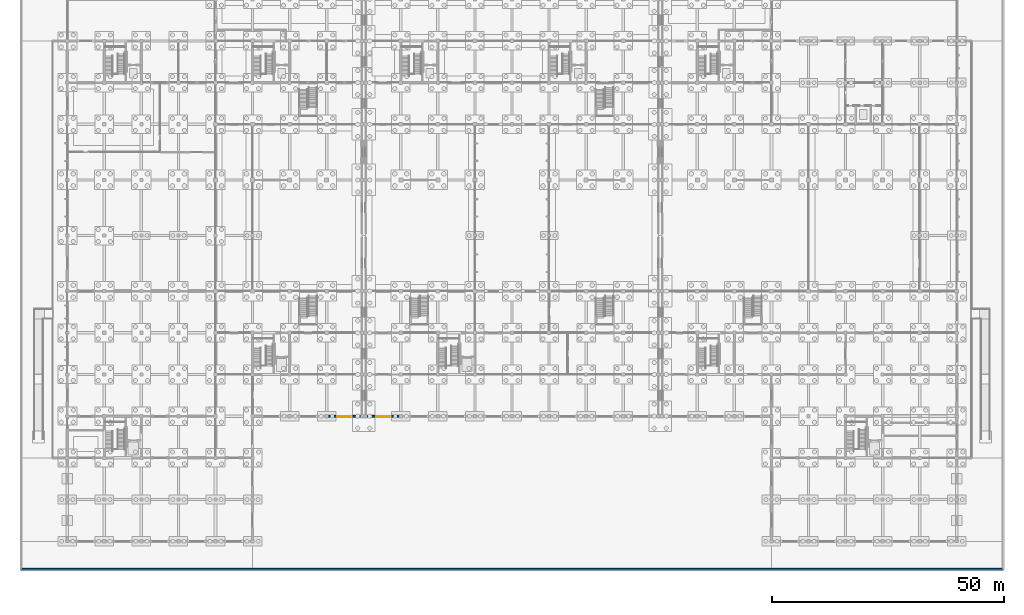
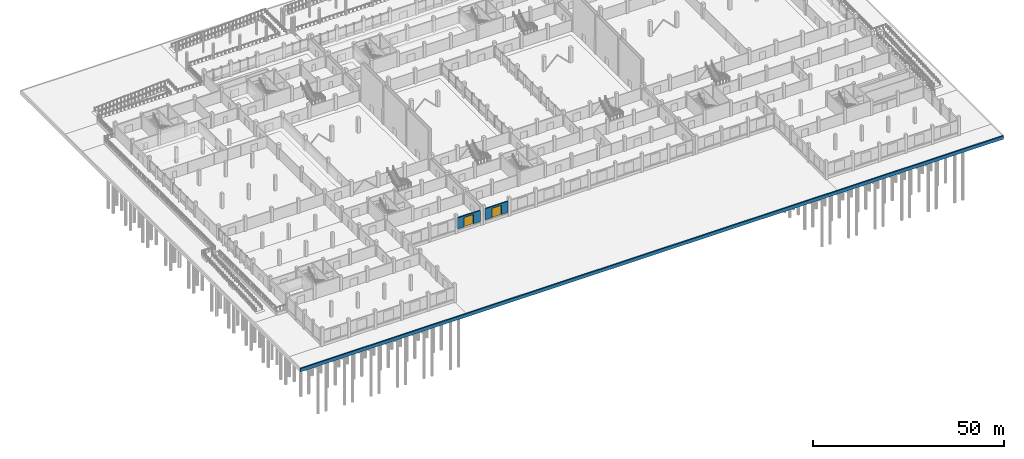
# One storey, part 43 of 72: 3 walls, 2 doors, 2 openings.
"""IFC4 building model written with IfcOpenShell, lengths in metres."""

from ifc_helpers import new_model, si_unit, direction, frame, frame_2d, origin, place, context, subcontext, project, spatial, rectangle, extrude, material, layer, layer_set, type_object, element, fill, save


model = new_model("IFC4")

# Units and contexts
model_context = context("Model", 3, precision=1e-05, world=origin(), true_north=direction((0.0, 1.0)))
body_context = subcontext(model_context, "Body", "Model", "MODEL_VIEW")
ifc_project = project(units=[si_unit("LENGTHUNIT", "METRE"), si_unit("AREAUNIT", "SQUARE_METRE"), si_unit("VOLUMEUNIT", "CUBIC_METRE"), si_unit("PLANEANGLEUNIT", "RADIAN"), si_unit("MASSUNIT", "GRAM", prefix="KILO"), si_unit("THERMODYNAMICTEMPERATUREUNIT", "KELVIN"), si_unit("POWERUNIT", "WATT")], contexts=[model_context])

# Site, building, storey
site_placement = place(None, origin())
site = spatial("IfcSite", under=ifc_project, at=site_placement, CompositionType="ELEMENT")
building_placement = place(site_placement, origin())
building = spatial("IfcBuilding", under=site, at=building_placement, Name="Kronsvod Quay Wholesale Market", CompositionType="ELEMENT")
storey_placement = place(building_placement, origin())
storey = spatial("IfcBuildingStorey", under=building, at=storey_placement, Name="L00", CompositionType="ELEMENT", Elevation=0.0)

# Wall, opening, door
ifc_material_1 = material(Name="Precast concrete C40/50", Category="concrete")
ifc_layer_1 = layer(ifc_material_1, 0.360107421875)
ifc_layer_set_1 = layer_set([ifc_layer_1], Name="Precast concrete C40/50")
wall_type_1 = type_object("IfcWallType", Name="Wall_ExtColdSandwich360", PredefinedType="SOLIDWALL", material=ifc_layer_set_1)
wall_1_placement = place(storey_placement, frame((56.344970703125, 27.0, 0.0), z_axis=(0.0, 0.0, 1.0), x_axis=(1.0, 0.0, 0.0)))
wall_1 = element("IfcWall", 1, at=wall_1_placement, inside=storey, type_object=wall_type_1, Name="EW-X-L00-0008", PredefinedType="SOLIDWALL", context=body_context, shape_type="SweptSolid", body=[
    extrude(rectangle(XDim=6.909912109375, YDim=0.360107421875, at=frame_2d((3.455078125, 0.0))), origin(), (0.0, 0.0, 1.0), 3.550048828125),
])
opening_1_placement = place(wall_1_placement, frame((2.054931640625, 0.0, 0.0)))
opening_1 = element("IfcOpeningElement", 2, at=opening_1_placement, cuts=wall_1, Name="Opening ED-008", PredefinedType="OPENING", context=body_context, shape_type="SweptSolid", body=[
    extrude(rectangle(XDim=2.800048828125, YDim=3.0, at=frame_2d((1.39990234375, 1.5))), frame((0.0, 0.18994140625, 0.0), z_axis=(0.0, -1.0, 0.0), x_axis=(1.0, 0.0, 0.0)), (0.0, 0.0, 1.0), 0.380126953125),
])
ifc_material_2 = material(Name="Insulated galvanized steel sectional shutter", Category="steel")
door_type = type_object("IfcDoorType", Name="Door_DockShutter280x300", OperationType="ROLLINGUP", PredefinedType="GATE", material=ifc_material_2)
door_1_placement = place(opening_1_placement, origin())
door_1 = element("IfcDoor", 3, at=door_1_placement, inside=storey, type_object=door_type, Name="Loading Dock Door ED-008", OperationType="ROLLINGUP", OverallHeight=3.0, OverallWidth=2.800048828125, PredefinedType="GATE", context=body_context, shape_type="SweptSolid", body=[
    extrude(rectangle(XDim=2.800048828125, YDim=3.0, at=frame_2d((1.39990234375, 1.5))), frame((0.0, 0.02490234375, 0.0), z_axis=(0.0, -1.0, 0.0), x_axis=(1.0, 0.0, 0.0)), (0.0, 0.0, 1.0), 0.050048828125),
])
fill(opening_1, door_1)

wall_2_placement = place(storey_placement, frame((64.7451171875, 27.0, 0.0), z_axis=(0.0, 0.0, 1.0), x_axis=(1.0, 0.0, 0.0)))
wall_2 = element("IfcWall", 4, at=wall_2_placement, inside=storey, type_object=wall_type_1, Name="EW-X-L00-0033", PredefinedType="SOLIDWALL", context=body_context, shape_type="SweptSolid", body=[
    extrude(rectangle(XDim=6.909912109375, YDim=0.360107421875, at=frame_2d((3.455078125, 0.0))), origin(), (0.0, 0.0, 1.0), 3.550048828125),
])
opening_2_placement = place(wall_2_placement, frame((2.054931640625, 0.0, 0.0)))
opening_2 = element("IfcOpeningElement", 5, at=opening_2_placement, cuts=wall_2, Name="Opening ED-018", PredefinedType="OPENING", context=body_context, shape_type="SweptSolid", body=[
    extrude(rectangle(XDim=2.800048828125, YDim=3.0, at=frame_2d((1.39990234375, 1.5))), frame((0.0, 0.18994140625, 0.0), z_axis=(0.0, -1.0, 0.0), x_axis=(1.0, 0.0, 0.0)), (0.0, 0.0, 1.0), 0.380126953125),
])
door_2_placement = place(opening_2_placement, origin())
door_2 = element("IfcDoor", 6, at=door_2_placement, inside=storey, type_object=door_type, Name="Loading Dock Door ED-018", OperationType="ROLLINGUP", OverallHeight=3.0, OverallWidth=2.800048828125, PredefinedType="GATE", context=body_context, shape_type="SweptSolid", body=[
    extrude(rectangle(XDim=2.800048828125, YDim=3.0, at=frame_2d((1.39990234375, 1.5))), frame((0.0, 0.02490234375, 0.0), z_axis=(0.0, -1.0, 0.0), x_axis=(1.0, 0.0, 0.0)), (0.0, 0.0, 1.0), 0.050048828125),
])
fill(opening_2, door_2)

# Wall
ifc_material_3 = material(Name="Precast concrete C40/50", Category="concrete")
ifc_layer_2 = layer(ifc_material_3, 0.39990234375)
ifc_layer_set_2 = layer_set([ifc_layer_2], Name="Precast concrete C40/50")
wall_type_2 = type_object("IfcWallType", Name="Wall_PlinthSkirt400", PredefinedType="STANDARD", material=ifc_layer_set_2)
wall_3_placement = place(storey_placement, frame((-10.0, -6.0, -2.25), z_axis=(0.0, 0.0, 1.0), x_axis=(1.0, 0.0, 0.0)))
element("IfcWall", 7, at=wall_3_placement, inside=storey, type_object=wall_type_2, Name="RW-QS", PredefinedType="STANDARD", context=body_context, shape_type="SweptSolid", body=[
    extrude(rectangle(XDim=212.0, YDim=0.39990234375, at=frame_2d((106.0, 0.0))), origin(), (0.0, 0.0, 1.0), 1.050048828125),
])

save(model, "model.ifc")
